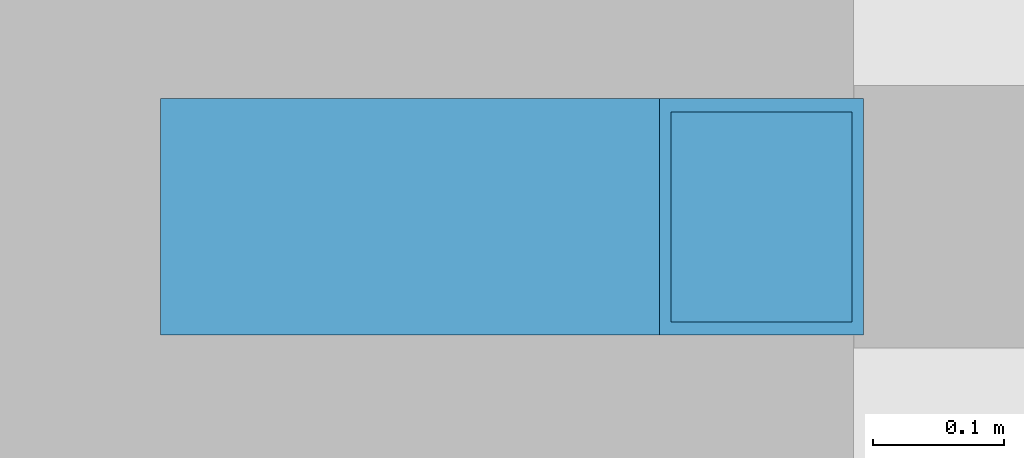
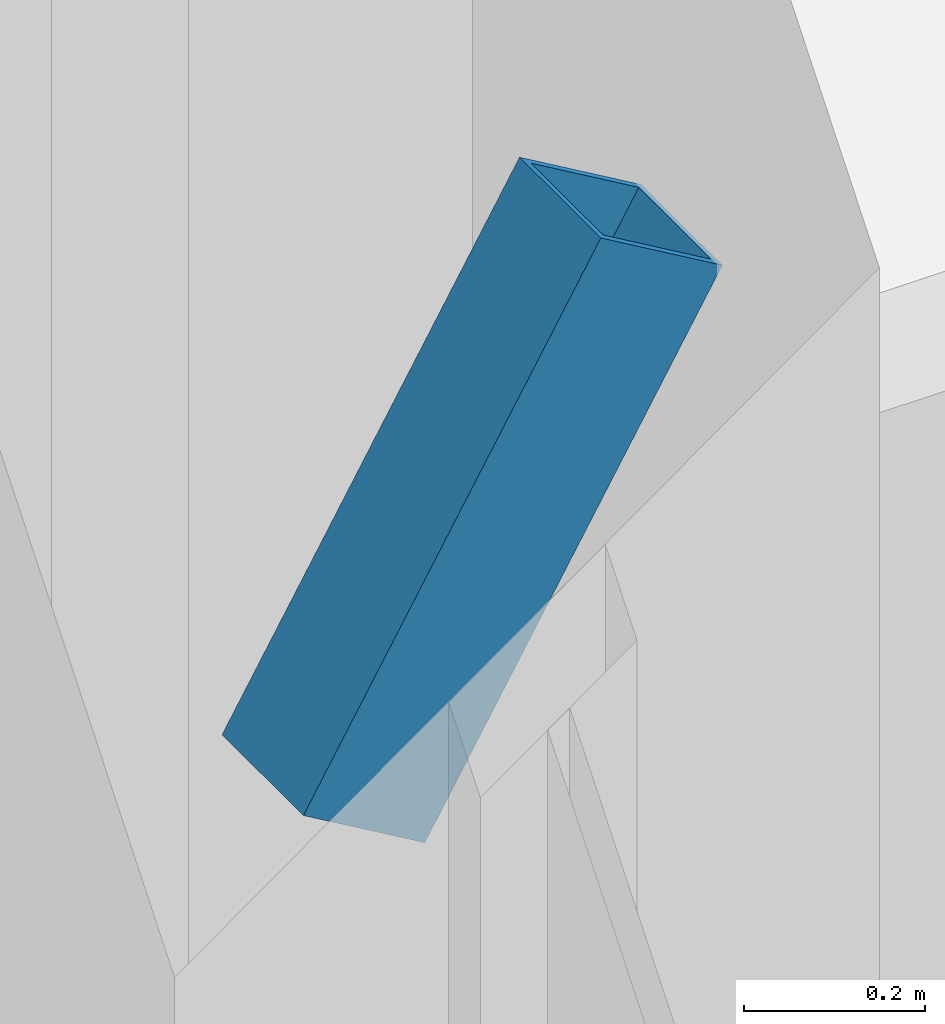
# One storey, part 63 of 123: 1 member.
"""IFC4 building model written with IfcOpenShell, lengths in metres."""

import ifcopenshell
import ifcopenshell.guid

model = None  # the IFC model being written
_history = None  # IfcOwnerHistory: only IFC2X3 demands one
_inside = {}  # id of a spatial element -> (the spatial element, [elements in it])
_under = {}  # id of a project, library or spatial element -> (it, [spatial elements below it])
_declared = {}  # id of a project -> (the project, [libraries it declares])
_typed = {}  # id of a type object -> (the type object, [elements of that type])
_made_of = {}  # id of a material, layer set ... -> (it, [elements and type objects made of it])


def new_model(schema):
    """Start an empty IFC model of exactly this schema.

    Asked for "IFC4X3", IfcOpenShell would pick the latest addendum, in which some entities
    have other attributes; the version numbers below select the first issue.
    IFC2X3 requires an IfcOwnerHistory on every rooted entity: one is made here for all.
    """
    global model, _history
    if schema == "IFC4X3":
        model = ifcopenshell.file(schema_version=(4, 3, 0, 0))
    else:
        model = ifcopenshell.file(schema=schema)
    _inside.clear()
    _under.clear()
    _declared.clear()
    _typed.clear()
    _made_of.clear()
    _history = None
    if model.schema == "IFC2X3":
        org = make("IfcOrganization", Name="unknown")
        user = make(
            "IfcPersonAndOrganization",
            ThePerson=make("IfcPerson", FamilyName="unknown"),
            TheOrganization=org,
        )
        app = make(
            "IfcApplication",
            ApplicationDeveloper=org,
            Version="unknown",
            ApplicationFullName="unknown",
            ApplicationIdentifier="unknown",
        )
        _history = make(
            "IfcOwnerHistory",
            OwningUser=user,
            OwningApplication=app,
            ChangeAction="ADDED",
            CreationDate=0,
        )
    return model


def make(cls, **values):
    """One entity of the class cls with the attributes given. An attribute that is None is left unset."""
    return model.create_entity(
        cls, **{name: value for name, value in values.items() if value is not None}
    )


def rooted(cls, **values):
    """An entity with a GlobalId (a new one), such as an element, a storey or a relation."""
    return make(cls, GlobalId=ifcopenshell.guid.new(), OwnerHistory=_history, **values)


def si_unit(unit_type, name, prefix=None):
    """IfcSIUnit, for example si_unit("LENGTHUNIT", "METRE", prefix="MILLI")."""
    return make("IfcSIUnit", UnitType=unit_type, Prefix=prefix, Name=name)


def assignment(units):
    """IfcUnitAssignment: the units of a project."""
    return None if units is None else make("IfcUnitAssignment", Units=units)


def point(xyz):
    """IfcCartesianPoint."""
    return None if xyz is None else make("IfcCartesianPoint", Coordinates=xyz)


def direction(xyz):
    """IfcDirection."""
    return None if xyz is None else make("IfcDirection", DirectionRatios=xyz)


def frame(location, z_axis=None, x_axis=None):
    """IfcAxis2Placement3D, a coordinate frame: its origin and axes. An axis left out is left unset."""
    return make(
        "IfcAxis2Placement3D",
        Location=point(location),
        Axis=direction(z_axis),
        RefDirection=direction(x_axis),
    )


def frame_2d(location, x_axis=None):
    """IfcAxis2Placement2D, a coordinate frame in the plane: its origin and x axis."""
    return make(
        "IfcAxis2Placement2D", Location=point(location), RefDirection=direction(x_axis)
    )


def origin():
    """The frame at (0, 0, 0) with its axes left unset."""
    return frame((0.0, 0.0, 0.0))


def origin_2d():
    """The frame at (0, 0) in the plane with its x axis left unset."""
    return frame_2d((0.0, 0.0))


def place(relative_to, where):
    """IfcLocalPlacement: puts the frame where relative to a parent placement (None: the world)."""
    return make(
        "IfcLocalPlacement", PlacementRelTo=relative_to, RelativePlacement=where
    )


def context(
    kind, dimensions, precision=None, world=None, true_north=None, identifier=None
):
    """IfcGeometricRepresentationContext, for example the 3D "Model" context."""
    return make(
        "IfcGeometricRepresentationContext",
        ContextIdentifier=identifier,
        ContextType=kind,
        CoordinateSpaceDimension=dimensions,
        Precision=precision,
        WorldCoordinateSystem=world,
        TrueNorth=true_north,
    )


def subcontext(parent, identifier, kind, view, scale=None):
    """IfcGeometricRepresentationSubContext, for example "Body" below "Model"."""
    return make(
        "IfcGeometricRepresentationSubContext",
        ContextIdentifier=identifier,
        ContextType=kind,
        ParentContext=parent,
        TargetScale=scale,
        TargetView=view,
    )


def project(units=None, contexts=None):
    """IfcProject with its units and contexts."""
    return rooted(
        "IfcProject",
        Name="project",
        RepresentationContexts=contexts,
        UnitsInContext=assignment(units),
    )


def spatial(cls, under=None, at=None, **own):
    """A site, building, storey or space (cls), placed at a placement, below another one or the project."""
    s = rooted(cls, ObjectPlacement=at, **own)
    if under is not None:
        _under.setdefault(under.id(), (under, []))[1].append(s)
    return s


def profile(cls, at=None, kind="AREA", **sizes):
    """A parametric profile (cls). Its sizes go by their IFC names, for example OverallWidth=200.0."""
    return make(cls, ProfileType=kind, Position=at, **sizes)


def hollow_rectangle(**sizes):
    """IfcRectangleHollowProfileDef."""
    return profile("IfcRectangleHollowProfileDef", **sizes)


def extrude(swept, where, along, depth):
    """IfcExtrudedAreaSolid: the profile swept, set in the frame where, extruded along a direction by depth."""
    return make(
        "IfcExtrudedAreaSolid",
        SweptArea=swept,
        Position=where,
        ExtrudedDirection=direction(along),
        Depth=depth,
    )


def shape(context_of_items, identifier, shape_type, items):
    """IfcShapeRepresentation: the items that make up one representation, for example the "Body"."""
    return make(
        "IfcShapeRepresentation",
        ContextOfItems=context_of_items,
        RepresentationIdentifier=identifier,
        RepresentationType=shape_type,
        Items=items,
    )


def material(Name=None, Category=None):
    """IfcMaterial."""
    return make("IfcMaterial", Name=Name, Category=Category)


def material_profile(
    of_material, cross_section, Name=None, Category=None, Priority=None
):
    """IfcMaterialProfile: a cross section and its material."""
    return make(
        "IfcMaterialProfile",
        Name=Name,
        Material=of_material,
        Profile=cross_section,
        Priority=Priority,
        Category=Category,
    )


def profile_set(profiles, Name=None, composite=None):
    """IfcMaterialProfileSet."""
    return make(
        "IfcMaterialProfileSet",
        Name=Name,
        MaterialProfiles=profiles,
        CompositeProfile=composite,
    )


def made_of(thing, what):
    """Note that an element or type object is made of a material, layer set ...; save() writes the relation."""
    if what is not None:
        _made_of.setdefault(what.id(), (what, []))[1].append(thing)
    return thing


def type_object(cls, material=None, **own):
    """A type object (cls), such as IfcWallType, which elements share."""
    return made_of(rooted(cls, **own), material)


def element(
    cls,
    number,
    at=None,
    inside=None,
    cuts=None,
    type_object=None,
    material=None,
    context=None,
    identifier="Body",
    shape_type=None,
    held_by="IfcProductDefinitionShape",
    body=None,
    shapes=None,
    **own,
):
    """One element of the class cls, such as IfcWall. Its Tag is "e" and its number.

    at: its placement. inside: the storey or other place that contains it. cuts: it is an
    opening in that element (IfcRelVoidsElement). A single representation is given by context,
    identifier, shape_type and body (its items); several are given by shapes. held_by: the class
    of the entity that holds the representations. save() writes the other relations.
    """
    e = rooted(cls, Tag="e%d" % number, ObjectPlacement=at, **own)
    if body is not None:
        shapes = [shape(context, identifier, shape_type, body)]
    if shapes is not None:
        e.Representation = make(held_by, Representations=shapes)
    if inside is not None:
        _inside.setdefault(inside.id(), (inside, []))[1].append(e)
    if cuts is not None:
        rooted(
            "IfcRelVoidsElement", RelatingBuildingElement=cuts, RelatedOpeningElement=e
        )
    if type_object is not None:
        _typed.setdefault(type_object.id(), (type_object, []))[1].append(e)
    return made_of(e, material)


def aggregate(whole, parts):
    """IfcRelAggregates: a whole, such as a stair, and the parts it consists of."""
    return rooted("IfcRelAggregates", RelatingObject=whole, RelatedObjects=parts)


def save(model, path):
    """Write the relations noted so far, then the file.

    IfcRelAggregates (storeys below a building ...), IfcRelContainedInSpatialStructure (elements
    in a storey), IfcRelDefinesByType, IfcRelAssociatesMaterial and IfcRelDeclares: one each for
    every whole, place, type object, material and project.
    """
    for whole, parts in _under.values():
        aggregate(whole, parts)
    for where, things in _inside.values():
        rooted(
            "IfcRelContainedInSpatialStructure",
            RelatedElements=things,
            RelatingStructure=where,
        )
    for kind, things in _typed.values():
        rooted("IfcRelDefinesByType", RelatedObjects=things, RelatingType=kind)
    for what, things in _made_of.values():
        rooted("IfcRelAssociatesMaterial", RelatedObjects=things, RelatingMaterial=what)
    for by, libraries in _declared.values():
        rooted("IfcRelDeclares", RelatingContext=by, RelatedDefinitions=libraries)
    model.write(path)


model = new_model("IFC4")

# Units and contexts
model_context = context("Model", 3, precision=1e-05, world=origin(), true_north=direction((0.0, 1.0)))
body_context = subcontext(model_context, "Body", "Model", "MODEL_VIEW")
ifc_project = project(units=[si_unit("LENGTHUNIT", "METRE"), si_unit("AREAUNIT", "SQUARE_METRE"), si_unit("VOLUMEUNIT", "CUBIC_METRE"), si_unit("PLANEANGLEUNIT", "RADIAN"), si_unit("MASSUNIT", "GRAM", prefix="KILO")], contexts=[model_context])

# Site, building, storey
site_placement = place(None, origin())
site = spatial("IfcSite", under=ifc_project, at=site_placement, CompositionType="ELEMENT")
building_placement = place(site_placement, origin())
building = spatial("IfcBuilding", under=site, at=building_placement, Name="Tenunan Teduh Sports Hall", CompositionType="ELEMENT")
storey_placement = place(building_placement, origin())
storey = spatial("IfcBuildingStorey", under=building, at=storey_placement, Name="L00", CompositionType="ELEMENT", Elevation=0.0)

# Member
ifc_material = material(Name="Steel S355", Category="steel")
ifc_material_profile = material_profile(ifc_material, hollow_rectangle(XDim=0.179931640625, YDim=0.179931640625, WallThickness=0.010009765625, at=origin_2d()), Name="SHS 180x180x10.0")
ifc_profile_set = profile_set([ifc_material_profile], Name="Steel S355")
member_type = type_object("IfcMemberType", Name="MEM-ST-SHS180", PredefinedType="STRUT", material=ifc_profile_set)
member_placement = place(storey_placement, frame((6.0, 38.0, 3.800048828125), z_axis=(0.506479477723, 0.0, 0.862252015738), x_axis=(0.0, 1.0, 0.0)))
element("IfcMember", 1, at=member_placement, inside=storey, type_object=member_type, Name="MEM-VS-03-L00-1363", PredefinedType="STRUT", context=body_context, shape_type="SweptSolid", body=[
    extrude(hollow_rectangle(XDim=0.179931640625, YDim=0.179931640625, WallThickness=0.010009765625, at=origin_2d()), origin(), (0.0, 0.0, 1.0), 0.75),
])

save(model, "model.ifc")
